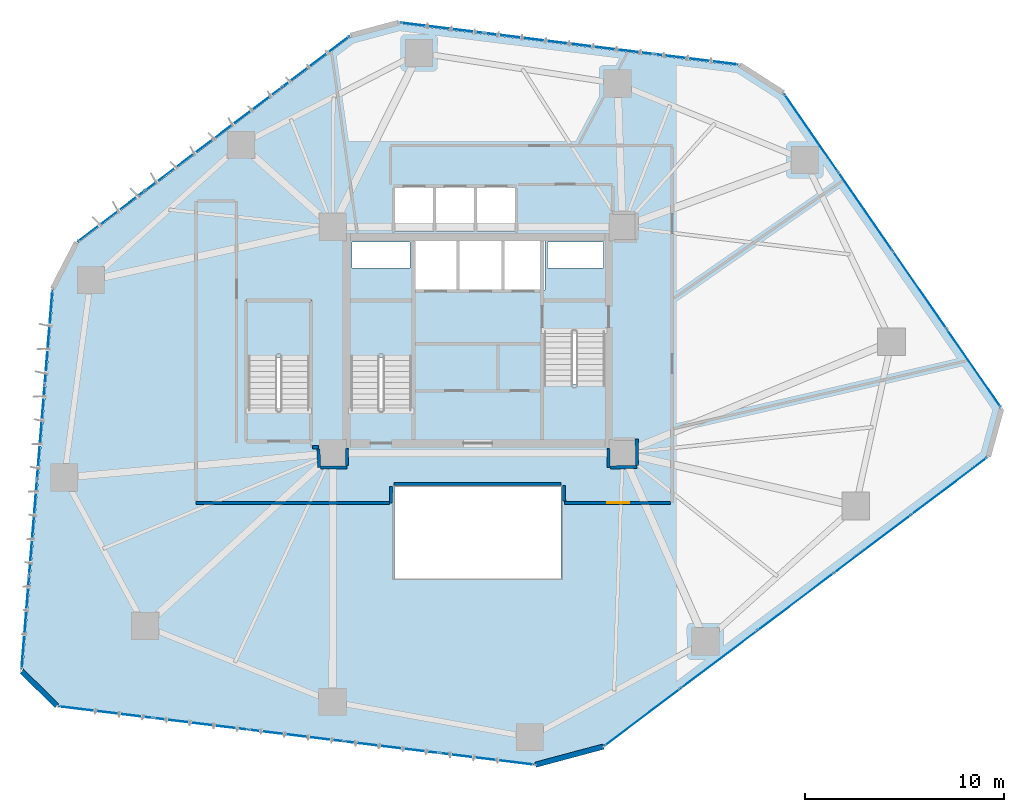
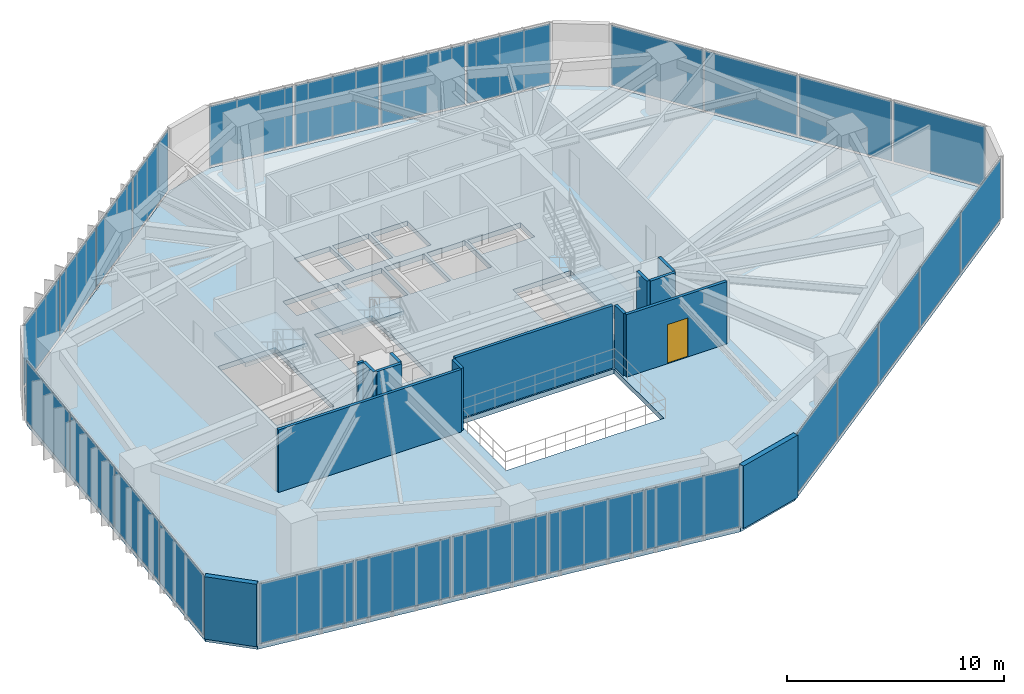
# One storey, part 17 of 23: 26 plates, 14 walls, 4 slabs, 1 door, 1 opening, 9 elements without a shape of their own.
"""IFC4 building model written with IfcOpenShell, lengths in metres."""

from ifc_helpers import new_model, si_unit, direction, frame, frame_2d, origin, origin_2d, place, context, subcontext, project, spatial, polyline, rectangle, outline, extrude, source, transform, mapped, material, layer, layer_set, type_object, type_shapes, element, fill, aggregate, save


model = new_model("IFC4")

# Units and contexts
model_context = context("Model", 3, precision=1e-05, world=origin(), true_north=direction((0.0, 1.0)))
body_context = subcontext(model_context, "Body", "Model", "MODEL_VIEW")
ifc_project = project(units=[si_unit("LENGTHUNIT", "METRE"), si_unit("AREAUNIT", "SQUARE_METRE"), si_unit("VOLUMEUNIT", "CUBIC_METRE"), si_unit("PLANEANGLEUNIT", "RADIAN"), si_unit("MASSUNIT", "GRAM", prefix="KILO")], contexts=[model_context])

# Site, building, storey
site_placement = place(None, origin())
site = spatial("IfcSite", under=ifc_project, at=site_placement, CompositionType="ELEMENT")
building_placement = place(site_placement, origin())
building = spatial("IfcBuilding", under=site, at=building_placement, Name="Talar Marvaseh", CompositionType="ELEMENT")
storey_placement = place(building_placement, frame((0.0, 0.0, 69.60009765625)))
storey = spatial("IfcBuildingStorey", under=building, at=storey_placement, Name="L17", CompositionType="ELEMENT", Elevation=69.60009765625)

# Stair, slab
ifc_material_1 = material(Name="Concrete C40/50", Category="concrete")
stair_type = type_object("IfcStairType", Name="Reinforced Concrete Half-Turn Exit Stair Type B", PredefinedType="HALF_TURN_STAIR", material=ifc_material_1)
stair_1_placement = place(storey_placement, origin())
stair_1 = element("IfcStair", 1, at=stair_1_placement, inside=storey, type_object=stair_type, Name="L17 Tower West Core Exit Stair", PredefinedType="HALF_TURN_STAIR")
ifc_layer_1 = layer(ifc_material_1, 0.199951171875)
ifc_layer_set_1 = layer_set([ifc_layer_1], Name="Concrete C40/50")
slab_type_1 = type_object("IfcSlabType", Name="Reinforced Concrete Stair Half-Landing Slab 200", PredefinedType="LANDING", material=ifc_layer_set_1)
slab_1_placement = place(storey_placement, frame((0.0, 0.0, 1.699951171875)))
slab_1 = element("IfcSlab", 2, at=slab_1_placement, type_object=slab_type_1, Name="ST-1 landing 1", PredefinedType="LANDING", context=body_context, shape_type="SweptSolid", body=[
    extrude(outline(polyline([(22.780029296875, 30.330078125), (22.780029296875, 33.219970703125), (19.47998046875, 33.219970703125), (19.47998046875, 30.330078125), (22.780029296875, 30.330078125)])), origin(), (0.0, 0.0, 1.0), 0.199951171875),
])
aggregate(stair_1, [slab_1])

stair_2_placement = place(storey_placement, origin())
stair_2 = element("IfcStair", 3, at=stair_2_placement, inside=storey, type_object=stair_type, Name="L17 Tower East Core Exit Stair", PredefinedType="HALF_TURN_STAIR")
slab_2_placement = place(storey_placement, frame((0.0, 0.0, 1.699951171875)))
slab_2 = element("IfcSlab", 4, at=slab_2_placement, type_object=slab_type_1, Name="ST-2 landing 1", PredefinedType="LANDING", context=body_context, shape_type="SweptSolid", body=[
    extrude(outline(polyline([(29.219970703125, 28.969970703125), (29.219970703125, 26.080078125), (32.52001953125, 26.080078125), (32.52001953125, 28.969970703125), (29.219970703125, 28.969970703125)])), origin(), (0.0, 0.0, 1.0), 0.199951171875),
])
aggregate(stair_2, [slab_2])

stair_3_placement = place(storey_placement, origin())
stair_3 = element("IfcStair", 5, at=stair_3_placement, inside=storey, type_object=stair_type, Name="L17 Museum & Podium Auxiliary Exit Stair", PredefinedType="HALF_TURN_STAIR")
slab_3_placement = place(storey_placement, frame((0.0, 0.0, 1.699951171875)))
slab_3 = element("IfcSlab", 6, at=slab_3_placement, type_object=slab_type_1, Name="ST-3 landing 1", PredefinedType="LANDING", context=body_context, shape_type="SweptSolid", body=[
    extrude(outline(polyline([(17.6201171875, 30.330078125), (17.6201171875, 33.219970703125), (14.320068359375, 33.219970703125), (14.320068359375, 30.330078125), (17.6201171875, 30.330078125)])), origin(), (0.0, 0.0, 1.0), 0.199951171875),
])
aggregate(stair_3, [slab_3])

# Slab
ifc_layer_2 = layer(ifc_material_1, 0.280029296875)
ifc_layer_set_2 = layer_set([ifc_layer_2], Name="Concrete C40/50")
slab_type_2 = type_object("IfcSlabType", Name="Structural Suspended Floor Slab 280", PredefinedType="FLOOR", material=ifc_layer_set_2)
slab_4_placement = place(storey_placement, frame((0.0, 0.0, -0.280029296875)))
element("IfcSlab", 7, at=slab_4_placement, inside=storey, type_object=slab_type_2, Name="L17 Tower Floor Slab", PredefinedType="FLOOR", context=body_context, shape_type="SweptSolid", body=[
    extrude(outline(polyline([(4.84912109375, 12.811279296875), (3.07958984375, 14.5546875), (4.642578125, 33.757568359375), (5.848876953125, 36.087158203125), (19.611083984375, 46.4833984375), (22.041259765625, 47.134521484375), (39.15771484375, 45.01220703125), (41.3671875, 43.597900390625), (52.322509765625, 27.749267578125), (51.66162109375, 25.3544921875), (32.31103515625, 10.777587890625), (28.8955078125, 9.862548828125), (4.84912109375, 12.811279296875)]), holes=[polyline([(22.659912109375, 27.64990234375), (22.659912109375, 33.10009765625), (19.60009765625, 33.10009765625), (19.60009765625, 27.64990234375), (22.659912109375, 27.64990234375)]), polyline([(29.340087890625, 31.64990234375), (29.340087890625, 26.199951171875), (32.39990234375, 26.199951171875), (32.39990234375, 31.64990234375), (29.340087890625, 31.64990234375)]), polyline([(17.5, 27.64990234375), (17.5, 33.10009765625), (14.43994140625, 33.10009765625), (14.43994140625, 27.64990234375), (17.5, 27.64990234375)]), polyline([(22.800048828125, 33.719970703125), (24.93994140625, 33.719970703125), (24.93994140625, 36.179931640625), (22.800048828125, 36.179931640625), (22.800048828125, 33.719970703125)]), polyline([(25.080078125, 33.719970703125), (27.219970703125, 33.719970703125), (27.219970703125, 36.179931640625), (25.080078125, 36.179931640625), (25.080078125, 33.719970703125)]), polyline([(27.360107421875, 33.719970703125), (29.39990234375, 33.719970703125), (29.39990234375, 36.179931640625), (27.360107421875, 36.179931640625), (27.360107421875, 33.719970703125)]), polyline([(21.840087890625, 36.659912109375), (23.760009765625, 36.659912109375), (23.760009765625, 38.8798828125), (21.840087890625, 38.8798828125), (21.840087890625, 36.659912109375)]), polyline([(23.89990234375, 36.659912109375), (25.820068359375, 36.659912109375), (25.820068359375, 38.8798828125), (23.89990234375, 38.8798828125), (23.89990234375, 36.659912109375)]), polyline([(25.9599609375, 36.659912109375), (27.8798828125, 36.659912109375), (27.8798828125, 38.8798828125), (25.9599609375, 38.8798828125), (25.9599609375, 36.659912109375)]), polyline([(19.659912109375, 34.840087890625), (22.60009765625, 34.840087890625), (22.60009765625, 36.139892578125), (19.659912109375, 36.139892578125), (19.659912109375, 34.840087890625)]), polyline([(29.52001953125, 34.840087890625), (32.340087890625, 34.840087890625), (32.340087890625, 36.139892578125), (29.52001953125, 36.139892578125), (29.52001953125, 34.840087890625)]), polyline([(21.800048828125, 19.199951171875), (30.199951171875, 19.199951171875), (30.199951171875, 23.800048828125), (21.800048828125, 23.800048828125), (21.800048828125, 19.199951171875)])]), origin(), (0.0, 0.0, 1.0), 0.280029296875),
])

# Curtain wall, plates
ifc_material_2 = material(Name="Architectural Aluminium", Category="aluminium")
ifc_layer_3 = layer(ifc_material_2, 0.219970703125)
ifc_layer_set_3 = layer_set([ifc_layer_3], Name="Architectural Aluminium")
curtain_wall_type = type_object("IfcCurtainWallType", Name="Unitised Low-E Museum Curtain Wall Z1", PredefinedType="NOTDEFINED", material=ifc_layer_set_3)
curtain_wall_1_placement = place(storey_placement, origin())
curtain_wall_1 = element("IfcCurtainWall", 8, at=curtain_wall_1_placement, inside=storey, type_object=curtain_wall_type, Name="L17 Unitised Low-E Museum Curtain Wall Z1", PredefinedType="NOTDEFINED")
ifc_material_3 = material(Name="Laminated Low-E Solar Glass", Category="glass")
ifc_layer_4 = layer(ifc_material_3, 0.028076171875)
ifc_layer_set_4 = layer_set([ifc_layer_4], Name="Laminated Low-E Solar Glass")
plate_type = type_object("IfcPlateType", Name="Double-Glazed Low-E Vision Curtain Panel 28", PredefinedType="CURTAIN_PANEL", material=ifc_layer_set_4)
shared_shape_1 = source(origin(), body_context, "Body", "SweptSolid", [
    extrude(rectangle(XDim=4.696533203125, YDim=0.028076171875, at=origin_2d()), origin(), (0.0, 0.0, 1.0), 3.3701171875),
])
plate_1_placement = place(storey_placement, frame((3.216796875, 16.979736328125, 0.074951171875), z_axis=(0.0, 0.0, 1.0), x_axis=(0.081135984349, 0.996703041053, 0.0)))
plate_1 = element("IfcPlate", 9, at=plate_1_placement, type_object=plate_type, Name="CW-Z1 panel 1.1", PredefinedType="CURTAIN_PANEL", context=body_context, shape_type="MappedRepresentation", body=[
    mapped(shared_shape_1, transform((0.0, 0.0, 0.0), x_axis=(1.0, 0.0, 0.0), y_axis=(0.0, 1.0, 0.0), z_axis=(0.0, 0.0, 1.0), scale=1.0)),
])
plate_2_placement = place(storey_placement, frame((4.385986328125, 31.342041015625, 0.074951171875), z_axis=(0.0, 0.0, 1.0), x_axis=(0.081135984349, 0.996703041053, 0.0)))
plate_2 = element("IfcPlate", 10, at=plate_2_placement, type_object=plate_type, Name="CW-Z1 panel 4.1", PredefinedType="CURTAIN_PANEL", context=body_context, shape_type="MappedRepresentation", body=[
    mapped(shared_shape_1, transform((0.0, 0.0, 0.0), x_axis=(1.0, 0.0, 0.0), y_axis=(0.0, 1.0, 0.0), z_axis=(0.0, 0.0, 1.0), scale=1.0)),
])

curtain_wall_2_placement = place(storey_placement, origin())
curtain_wall_2 = element("IfcCurtainWall", 11, at=curtain_wall_2_placement, inside=storey, type_object=curtain_wall_type, Name="L17 Unitised Low-E Museum Curtain Wall Z1", PredefinedType="NOTDEFINED")
plate_3_placement = place(storey_placement, frame((42.79736328125, 41.63427734375, 0.074951171875), z_axis=(0.0, 0.0, 1.0), x_axis=(0.568616590902, -0.822602682071, 0.0)))
plate_3 = element("IfcPlate", 12, at=plate_3_placement, type_object=plate_type, Name="CW-Z1 panel 1.1", PredefinedType="CURTAIN_PANEL", context=body_context, shape_type="MappedRepresentation", body=[
    mapped(shared_shape_1, transform((0.0, 0.0, 0.0), x_axis=(1.0, 0.0, 0.0), y_axis=(0.0, 1.0, 0.0), z_axis=(0.0, 0.0, 1.0), scale=1.0)),
])
plate_4_placement = place(storey_placement, frame((50.990966796875, 29.78076171875, 0.074951171875), z_axis=(0.0, 0.0, 1.0), x_axis=(0.568616590902, -0.822602682071, 0.0)))
plate_4 = element("IfcPlate", 13, at=plate_4_placement, type_object=plate_type, Name="CW-Z1 panel 4.1", PredefinedType="CURTAIN_PANEL", context=body_context, shape_type="MappedRepresentation", body=[
    mapped(shared_shape_1, transform((0.0, 0.0, 0.0), x_axis=(1.0, 0.0, 0.0), y_axis=(0.0, 1.0, 0.0), z_axis=(0.0, 0.0, 1.0), scale=1.0)),
])

# Plate
shared_shape_2 = source(origin(), body_context, "Body", "SweptSolid", [
    extrude(rectangle(XDim=4.736572265625, YDim=0.028076171875, at=origin_2d()), origin(), (0.0, 0.0, 1.0), 3.3701171875),
])
plate_5_placement = place(storey_placement, frame((3.60595703125, 21.760498046875, 0.074951171875), z_axis=(0.0, 0.0, 1.0), x_axis=(0.081135984349, 0.996703041053, 0.0)))
plate_5 = element("IfcPlate", 14, at=plate_5_placement, type_object=plate_type, Name="CW-Z1 panel 2.1", PredefinedType="CURTAIN_PANEL", context=body_context, shape_type="MappedRepresentation", body=[
    mapped(shared_shape_2, transform((0.0, 0.0, 0.0), x_axis=(1.0, 0.0, 0.0), y_axis=(0.0, 1.0, 0.0), z_axis=(0.0, 0.0, 1.0), scale=1.0)),
])

plate_6_placement = place(storey_placement, frame((3.99658203125, 26.561279296875, 0.074951171875), z_axis=(0.0, 0.0, 1.0), x_axis=(0.081135984349, 0.996703041053, 0.0)))
plate_6 = element("IfcPlate", 15, at=plate_6_placement, type_object=plate_type, Name="CW-Z1 panel 3.1", PredefinedType="CURTAIN_PANEL", context=body_context, shape_type="MappedRepresentation", body=[
    mapped(shared_shape_2, transform((0.0, 0.0, 0.0), x_axis=(1.0, 0.0, 0.0), y_axis=(0.0, 1.0, 0.0), z_axis=(0.0, 0.0, 1.0), scale=1.0)),
])

aggregate(curtain_wall_1, [plate_1, plate_5, plate_6, plate_2])

plate_7_placement = place(storey_placement, frame((45.52490234375, 37.688720703125, 0.074951171875), z_axis=(0.0, 0.0, 1.0), x_axis=(0.568616590902, -0.822602682071, 0.0)))
plate_7 = element("IfcPlate", 16, at=plate_7_placement, type_object=plate_type, Name="CW-Z1 panel 2.1", PredefinedType="CURTAIN_PANEL", context=body_context, shape_type="MappedRepresentation", body=[
    mapped(shared_shape_2, transform((0.0, 0.0, 0.0), x_axis=(1.0, 0.0, 0.0), y_axis=(0.0, 1.0, 0.0), z_axis=(0.0, 0.0, 1.0), scale=1.0)),
])

plate_8_placement = place(storey_placement, frame((48.263671875, 33.7265625, 0.074951171875), z_axis=(0.0, 0.0, 1.0), x_axis=(0.568616590902, -0.822602682071, 0.0)))
plate_8 = element("IfcPlate", 17, at=plate_8_placement, type_object=plate_type, Name="CW-Z1 panel 3.1", PredefinedType="CURTAIN_PANEL", context=body_context, shape_type="MappedRepresentation", body=[
    mapped(shared_shape_2, transform((0.0, 0.0, 0.0), x_axis=(1.0, 0.0, 0.0), y_axis=(0.0, 1.0, 0.0), z_axis=(0.0, 0.0, 1.0), scale=1.0)),
])

aggregate(curtain_wall_2, [plate_3, plate_7, plate_8, plate_4])

# Curtain wall, plates
curtain_wall_3_placement = place(storey_placement, origin())
curtain_wall_3 = element("IfcCurtainWall", 18, at=curtain_wall_3_placement, inside=storey, type_object=curtain_wall_type, Name="L17 Unitised Low-E Museum Curtain Wall Z1", PredefinedType="NOTDEFINED")
shared_shape_3 = source(origin(), body_context, "Body", "SweptSolid", [
    extrude(rectangle(XDim=4.19189453125, YDim=0.028076171875, at=origin_2d()), origin(), (0.0, 0.0, 1.0), 3.3701171875),
])
plate_9_placement = place(storey_placement, frame((7.548828125, 37.446533203125, 0.074951171875), z_axis=(0.0, 0.0, 1.0), x_axis=(0.797920491755, 0.602762713543, 0.0)))
plate_9 = element("IfcPlate", 19, at=plate_9_placement, type_object=plate_type, Name="CW-Z1 panel 1.1", PredefinedType="CURTAIN_PANEL", context=body_context, shape_type="MappedRepresentation", body=[
    mapped(shared_shape_3, transform((0.0, 0.0, 0.0), x_axis=(1.0, 0.0, 0.0), y_axis=(0.0, 1.0, 0.0), z_axis=(0.0, 0.0, 1.0), scale=1.0)),
])
plate_10_placement = place(storey_placement, frame((17.838623046875, 45.2197265625, 0.074951171875), z_axis=(0.0, 0.0, 1.0), x_axis=(0.797920491755, 0.602762713543, 0.0)))
plate_10 = element("IfcPlate", 20, at=plate_10_placement, type_object=plate_type, Name="CW-Z1 panel 4.1", PredefinedType="CURTAIN_PANEL", context=body_context, shape_type="MappedRepresentation", body=[
    mapped(shared_shape_3, transform((0.0, 0.0, 0.0), x_axis=(1.0, 0.0, 0.0), y_axis=(0.0, 1.0, 0.0), z_axis=(0.0, 0.0, 1.0), scale=1.0)),
])

curtain_wall_4_placement = place(storey_placement, origin())
curtain_wall_4 = element("IfcCurtainWall", 21, at=curtain_wall_4_placement, inside=storey, type_object=curtain_wall_type, Name="L17 Unitised Low-E Museum Curtain Wall Z1", PredefinedType="NOTDEFINED")
plate_11_placement = place(storey_placement, frame((24.2080078125, 46.92626953125, 0.074951171875), z_axis=(0.0, 0.0, 1.0), x_axis=(0.992400570811, -0.123049205824, 0.0)))
plate_11 = element("IfcPlate", 22, at=plate_11_placement, type_object=plate_type, Name="CW-Z1 panel 1.1", PredefinedType="CURTAIN_PANEL", context=body_context, shape_type="MappedRepresentation", body=[
    mapped(shared_shape_3, transform((0.0, 0.0, 0.0), x_axis=(1.0, 0.0, 0.0), y_axis=(0.0, 1.0, 0.0), z_axis=(0.0, 0.0, 1.0), scale=1.0)),
])
plate_12_placement = place(storey_placement, frame((37.005859375, 45.33935546875, 0.074951171875), z_axis=(0.0, 0.0, 1.0), x_axis=(0.992400570811, -0.123049205824, 0.0)))
plate_12 = element("IfcPlate", 23, at=plate_12_placement, type_object=plate_type, Name="CW-Z1 panel 4.1", PredefinedType="CURTAIN_PANEL", context=body_context, shape_type="MappedRepresentation", body=[
    mapped(shared_shape_3, transform((0.0, 0.0, 0.0), x_axis=(1.0, 0.0, 0.0), y_axis=(0.0, 1.0, 0.0), z_axis=(0.0, 0.0, 1.0), scale=1.0)),
])

# Plate
shared_shape_4 = source(origin(), body_context, "Body", "SweptSolid", [
    extrude(rectangle(XDim=4.23193359375, YDim=0.028076171875, at=origin_2d()), origin(), (0.0, 0.0, 1.0), 3.3701171875),
])
plate_13_placement = place(storey_placement, frame((10.9736328125, 40.03369140625, 0.074951171875), z_axis=(0.0, 0.0, 1.0), x_axis=(0.797920491755, 0.602762713543, 0.0)))
plate_13 = element("IfcPlate", 24, at=plate_13_placement, type_object=plate_type, Name="CW-Z1 panel 2.1", PredefinedType="CURTAIN_PANEL", context=body_context, shape_type="MappedRepresentation", body=[
    mapped(shared_shape_4, transform((0.0, 0.0, 0.0), x_axis=(1.0, 0.0, 0.0), y_axis=(0.0, 1.0, 0.0), z_axis=(0.0, 0.0, 1.0), scale=1.0)),
])

plate_14_placement = place(storey_placement, frame((14.4140625, 42.632568359375, 0.074951171875), z_axis=(0.0, 0.0, 1.0), x_axis=(0.797920491755, 0.602762713543, 0.0)))
plate_14 = element("IfcPlate", 25, at=plate_14_placement, type_object=plate_type, Name="CW-Z1 panel 3.1", PredefinedType="CURTAIN_PANEL", context=body_context, shape_type="MappedRepresentation", body=[
    mapped(shared_shape_4, transform((0.0, 0.0, 0.0), x_axis=(1.0, 0.0, 0.0), y_axis=(0.0, 1.0, 0.0), z_axis=(0.0, 0.0, 1.0), scale=1.0)),
])

aggregate(curtain_wall_3, [plate_9, plate_13, plate_14, plate_10])

plate_15_placement = place(storey_placement, frame((28.46728515625, 46.398193359375, 0.074951171875), z_axis=(0.0, 0.0, 1.0), x_axis=(0.992400570811, -0.123049205824, 0.0)))
plate_15 = element("IfcPlate", 26, at=plate_15_placement, type_object=plate_type, Name="CW-Z1 panel 2.1", PredefinedType="CURTAIN_PANEL", context=body_context, shape_type="MappedRepresentation", body=[
    mapped(shared_shape_4, transform((0.0, 0.0, 0.0), x_axis=(1.0, 0.0, 0.0), y_axis=(0.0, 1.0, 0.0), z_axis=(0.0, 0.0, 1.0), scale=1.0)),
])

plate_16_placement = place(storey_placement, frame((32.74658203125, 45.86767578125, 0.074951171875), z_axis=(0.0, 0.0, 1.0), x_axis=(0.992400570811, -0.123049205824, 0.0)))
plate_16 = element("IfcPlate", 27, at=plate_16_placement, type_object=plate_type, Name="CW-Z1 panel 3.1", PredefinedType="CURTAIN_PANEL", context=body_context, shape_type="MappedRepresentation", body=[
    mapped(shared_shape_4, transform((0.0, 0.0, 0.0), x_axis=(1.0, 0.0, 0.0), y_axis=(0.0, 1.0, 0.0), z_axis=(0.0, 0.0, 1.0), scale=1.0)),
])

aggregate(curtain_wall_4, [plate_11, plate_15, plate_16, plate_12])

# Curtain wall, plates
curtain_wall_5_placement = place(storey_placement, origin())
curtain_wall_5 = element("IfcCurtainWall", 28, at=curtain_wall_5_placement, inside=storey, type_object=curtain_wall_type, Name="L17 Unitised Low-E Museum Curtain Wall Z1", PredefinedType="NOTDEFINED")
shared_shape_5 = source(origin(), body_context, "Body", "SweptSolid", [
    extrude(rectangle(XDim=4.725341796875, YDim=0.028076171875, at=origin_2d()), origin(), (0.0, 0.0, 1.0), 3.3701171875),
])
plate_17_placement = place(storey_placement, frame((49.746826171875, 23.8369140625, 0.074951171875), z_axis=(0.0, 0.0, 1.0), x_axis=(-0.798729199354, -0.601690673103, 0.0)))
plate_17 = element("IfcPlate", 29, at=plate_17_placement, type_object=plate_type, Name="CW-Z1 panel 1.1", PredefinedType="CURTAIN_PANEL", context=body_context, shape_type="MappedRepresentation", body=[
    mapped(shared_shape_5, transform((0.0, 0.0, 0.0), x_axis=(1.0, 0.0, 0.0), y_axis=(0.0, 1.0, 0.0), z_axis=(0.0, 0.0, 1.0), scale=1.0)),
])
plate_18_placement = place(storey_placement, frame((34.29833984375, 12.199462890625, 0.074951171875), z_axis=(0.0, 0.0, 1.0), x_axis=(-0.798729199354, -0.601690673103, 0.0)))
plate_18 = element("IfcPlate", 30, at=plate_18_placement, type_object=plate_type, Name="CW-Z1 panel 5.1", PredefinedType="CURTAIN_PANEL", context=body_context, shape_type="MappedRepresentation", body=[
    mapped(shared_shape_5, transform((0.0, 0.0, 0.0), x_axis=(1.0, 0.0, 0.0), y_axis=(0.0, 1.0, 0.0), z_axis=(0.0, 0.0, 1.0), scale=1.0)),
])

curtain_wall_6_placement = place(storey_placement, origin())
curtain_wall_6 = element("IfcCurtainWall", 31, at=curtain_wall_6_placement, inside=storey, type_object=curtain_wall_type, Name="L17 Unitised Low-E Museum Curtain Wall Z1", PredefinedType="NOTDEFINED")
plate_19_placement = place(storey_placement, frame((26.4638671875, 10.10009765625, 0.074951171875), z_axis=(0.0, 0.0, 1.0), x_axis=(-0.992565367955, 0.121712736954, 0.0)))
plate_19 = element("IfcPlate", 32, at=plate_19_placement, type_object=plate_type, Name="CW-Z1 panel 1.1", PredefinedType="CURTAIN_PANEL", context=body_context, shape_type="MappedRepresentation", body=[
    mapped(shared_shape_5, transform((0.0, 0.0, 0.0), x_axis=(1.0, 0.0, 0.0), y_axis=(0.0, 1.0, 0.0), z_axis=(0.0, 0.0, 1.0), scale=1.0)),
])
plate_20_placement = place(storey_placement, frame((7.26611328125, 12.454345703125, 0.074951171875), z_axis=(0.0, 0.0, 1.0), x_axis=(-0.992565367955, 0.121712736954, 0.0)))
plate_20 = element("IfcPlate", 33, at=plate_20_placement, type_object=plate_type, Name="CW-Z1 panel 5.1", PredefinedType="CURTAIN_PANEL", context=body_context, shape_type="MappedRepresentation", body=[
    mapped(shared_shape_5, transform((0.0, 0.0, 0.0), x_axis=(1.0, 0.0, 0.0), y_axis=(0.0, 1.0, 0.0), z_axis=(0.0, 0.0, 1.0), scale=1.0)),
])

# Plate
shared_shape_6 = source(origin(), body_context, "Body", "SweptSolid", [
    extrude(rectangle(XDim=4.765380859375, YDim=0.028076171875, at=origin_2d()), origin(), (0.0, 0.0, 1.0), 3.3701171875),
])
type_shapes(plate_type, [shared_shape_1, shared_shape_2, shared_shape_3, shared_shape_4, shared_shape_5, shared_shape_6])
plate_21_placement = place(storey_placement, frame((45.892578125, 20.93359375, 0.074951171875), z_axis=(0.0, 0.0, 1.0), x_axis=(-0.798729199354, -0.601690673103, 0.0)))
plate_21 = element("IfcPlate", 34, at=plate_21_placement, type_object=plate_type, Name="CW-Z1 panel 2.1", PredefinedType="CURTAIN_PANEL", context=body_context, shape_type="MappedRepresentation", body=[
    mapped(shared_shape_6, transform((0.0, 0.0, 0.0), x_axis=(1.0, 0.0, 0.0), y_axis=(0.0, 1.0, 0.0), z_axis=(0.0, 0.0, 1.0), scale=1.0)),
])

plate_22_placement = place(storey_placement, frame((42.0224609375, 18.018310546875, 0.074951171875), z_axis=(0.0, 0.0, 1.0), x_axis=(-0.798729199354, -0.601690673103, 0.0)))
plate_22 = element("IfcPlate", 35, at=plate_22_placement, type_object=plate_type, Name="CW-Z1 panel 3.1", PredefinedType="CURTAIN_PANEL", context=body_context, shape_type="MappedRepresentation", body=[
    mapped(shared_shape_6, transform((0.0, 0.0, 0.0), x_axis=(1.0, 0.0, 0.0), y_axis=(0.0, 1.0, 0.0), z_axis=(0.0, 0.0, 1.0), scale=1.0)),
])

plate_23_placement = place(storey_placement, frame((38.15234375, 15.102783203125, 0.074951171875), z_axis=(0.0, 0.0, 1.0), x_axis=(-0.798729199354, -0.601690673103, 0.0)))
plate_23 = element("IfcPlate", 36, at=plate_23_placement, type_object=plate_type, Name="CW-Z1 panel 4.1", PredefinedType="CURTAIN_PANEL", context=body_context, shape_type="MappedRepresentation", body=[
    mapped(shared_shape_6, transform((0.0, 0.0, 0.0), x_axis=(1.0, 0.0, 0.0), y_axis=(0.0, 1.0, 0.0), z_axis=(0.0, 0.0, 1.0), scale=1.0)),
])

aggregate(curtain_wall_5, [plate_17, plate_21, plate_22, plate_23, plate_18])

plate_24_placement = place(storey_placement, frame((21.67431640625, 10.6875, 0.074951171875), z_axis=(0.0, 0.0, 1.0), x_axis=(-0.992565367955, 0.121712736954, 0.0)))
plate_24 = element("IfcPlate", 37, at=plate_24_placement, type_object=plate_type, Name="CW-Z1 panel 2.1", PredefinedType="CURTAIN_PANEL", context=body_context, shape_type="MappedRepresentation", body=[
    mapped(shared_shape_6, transform((0.0, 0.0, 0.0), x_axis=(1.0, 0.0, 0.0), y_axis=(0.0, 1.0, 0.0), z_axis=(0.0, 0.0, 1.0), scale=1.0)),
])

plate_25_placement = place(storey_placement, frame((16.864990234375, 11.27734375, 0.074951171875), z_axis=(0.0, 0.0, 1.0), x_axis=(-0.992565367955, 0.121712736954, 0.0)))
plate_25 = element("IfcPlate", 38, at=plate_25_placement, type_object=plate_type, Name="CW-Z1 panel 3.1", PredefinedType="CURTAIN_PANEL", context=body_context, shape_type="MappedRepresentation", body=[
    mapped(shared_shape_6, transform((0.0, 0.0, 0.0), x_axis=(1.0, 0.0, 0.0), y_axis=(0.0, 1.0, 0.0), z_axis=(0.0, 0.0, 1.0), scale=1.0)),
])

plate_26_placement = place(storey_placement, frame((12.0556640625, 11.866943359375, 0.074951171875), z_axis=(0.0, 0.0, 1.0), x_axis=(-0.992565367955, 0.121712736954, 0.0)))
plate_26 = element("IfcPlate", 39, at=plate_26_placement, type_object=plate_type, Name="CW-Z1 panel 4.1", PredefinedType="CURTAIN_PANEL", context=body_context, shape_type="MappedRepresentation", body=[
    mapped(shared_shape_6, transform((0.0, 0.0, 0.0), x_axis=(1.0, 0.0, 0.0), y_axis=(0.0, 1.0, 0.0), z_axis=(0.0, 0.0, 1.0), scale=1.0)),
])

aggregate(curtain_wall_6, [plate_19, plate_24, plate_25, plate_26, plate_20])

# Walls
ifc_material_4 = material(Name="Precast concrete C45/55", Category="concrete")
ifc_layer_5 = layer(ifc_material_4, 0.27001953125)
ifc_layer_set_5 = layer_set([ifc_layer_5], Name="Precast concrete C45/55")
wall_type_1 = type_object("IfcWallType", Name="Chamfered Hexagonal Corner Pier Wall Z1 270", PredefinedType="SOLIDWALL", material=ifc_layer_set_5)
wall_1_placement = place(storey_placement, frame((4.806884765625, 12.7685546875, 0.0), z_axis=(0.0, 0.0, 1.0), x_axis=(-0.712345298876, 0.701829163807, 0.0)))
element("IfcWall", 40, at=wall_1_placement, inside=storey, type_object=wall_type_1, Name="L17 Chamfered Corner Limestone Pier 1", PredefinedType="SOLIDWALL", context=body_context, shape_type="SweptSolid", body=[
    extrude(rectangle(XDim=2.484130859375, YDim=0.27001953125, at=frame_2d((1.2421875, 0.0))), origin(), (0.0, 0.0, 1.0), 3.52001953125),
])
wall_2_placement = place(storey_placement, frame((32.32666015625, 10.719482421875, 0.0), z_axis=(0.0, 0.0, 1.0), x_axis=(-0.965936341047, -0.258779800303, 0.0)))
element("IfcWall", 41, at=wall_2_placement, inside=storey, type_object=wall_type_1, Name="L17 Chamfered Corner Limestone Pier 6", PredefinedType="SOLIDWALL", context=body_context, shape_type="SweptSolid", body=[
    extrude(rectangle(XDim=3.535888671875, YDim=0.27001953125, at=frame_2d((1.76806640625, 0.0))), origin(), (0.0, 0.0, 1.0), 3.52001953125),
])

# Wall, opening, door
ifc_material_5 = material(Name="Gypsum Board Partition Assembly")
ifc_layer_6 = layer(ifc_material_5, 0.155029296875)
ifc_layer_set_6 = layer_set([ifc_layer_6], Name="Gypsum Board Partition Assembly")
wall_type_2 = type_object("IfcWallType", Name="Corridor Fire-Rated Acoustic Partition 155", PredefinedType="PARTITIONING", material=ifc_layer_set_6)
wall_3_placement = place(storey_placement, frame((35.716552734375, 23.0, 0.0), z_axis=(0.0, 0.0, 1.0), x_axis=(-1.0, 0.0, 0.0)))
wall_3 = element("IfcWall", 42, at=wall_3_placement, inside=storey, type_object=wall_type_2, Name="L17 Interior Partition Wall", PredefinedType="PARTITIONING", context=body_context, shape_type="SweptSolid", body=[
    extrude(rectangle(XDim=5.3564453125, YDim=0.155029296875, at=frame_2d((2.67822265625, 0.0))), origin(), (0.0, 0.0, 1.0), 3.52001953125),
])
opening_placement = place(wall_3_placement, frame((2.08642578125, 0.0, 0.0)))
opening = element("IfcOpeningElement", 43, at=opening_placement, cuts=wall_3, Name="Opening DR-RM110", PredefinedType="OPENING", context=body_context, shape_type="SweptSolid", body=[
    extrude(rectangle(XDim=1.10009765625, YDim=2.199951171875, at=frame_2d((0.550048828125, 1.10009765625))), frame((0.0, 0.08740234375, 0.0), z_axis=(0.0, -1.0, 0.0), x_axis=(1.0, 0.0, 0.0)), (0.0, 0.0, 1.0), 0.175048828125),
])
ifc_material_6 = material(Name="Acoustic Engineered Oak Timber", Category="wood")
door_type = type_object("IfcDoorType", Name="Assembly and Reading Hall Door 1100x2200", OperationType="NOTDEFINED", PredefinedType="DOOR", material=ifc_material_6)
shared_shape_7 = source(origin(), body_context, "Body", "SweptSolid", [
    extrude(rectangle(XDim=1.10009765625, YDim=2.199951171875, at=frame_2d((0.550048828125, 1.10009765625))), frame((0.0, 0.02490234375, 0.0), z_axis=(0.0, -1.0, 0.0), x_axis=(1.0, 0.0, 0.0)), (0.0, 0.0, 1.0), 0.050048828125),
])
type_shapes(door_type, [shared_shape_7])
door_placement = place(opening_placement, origin())
door = element("IfcDoor", 44, at=door_placement, inside=storey, type_object=door_type, Name="L17 Exhibition Gallery Door", OperationType="SINGLE_SWING_RIGHT", OverallHeight=2.199951171875, OverallWidth=1.10009765625, PredefinedType="DOOR", context=body_context, shape_type="MappedRepresentation", body=[
    mapped(shared_shape_7, transform((0.0, 0.0, 0.0), x_axis=(1.0, 0.0, 0.0), y_axis=(0.0, 1.0, 0.0), z_axis=(0.0, 0.0, 1.0), scale=1.0)),
])
fill(opening, door)

# Walls
wall_4_placement = place(storey_placement, frame((30.199951171875, 23.9599609375, 0.0), z_axis=(0.0, 0.0, 1.0), x_axis=(-0.999999996213, -8.7029677e-05, 0.0)))
element("IfcWall", 45, at=wall_4_placement, inside=storey, type_object=wall_type_2, Name="L17 Interior Partition Wall", PredefinedType="PARTITIONING", context=body_context, shape_type="SweptSolid", body=[
    extrude(rectangle(XDim=8.415771484375, YDim=0.155029296875, at=frame_2d((4.2080078125, 0.0))), origin(), (0.0, 0.0, 1.0), 3.52001953125),
])
wall_5_placement = place(storey_placement, frame((21.64306640625, 23.831298828125, 0.0), z_axis=(0.0, 0.0, 1.0), x_axis=(-0.003817887006, -0.999992711843, 0.0)))
element("IfcWall", 46, at=wall_5_placement, inside=storey, type_object=wall_type_2, Name="L17 Interior Partition Wall", PredefinedType="PARTITIONING", context=body_context, shape_type="SweptSolid", body=[
    extrude(rectangle(XDim=0.831298828125, YDim=0.155029296875, at=frame_2d((0.41552734375, 0.0))), origin(), (0.0, 0.0, 1.0), 3.52001953125),
])
wall_6_placement = place(storey_placement, frame((21.556396484375, 23.0, 0.0), z_axis=(0.0, 0.0, 1.0), x_axis=(-1.0, 0.0, 0.0)))
element("IfcWall", 47, at=wall_6_placement, inside=storey, type_object=wall_type_2, Name="L17 Interior Partition Wall", PredefinedType="PARTITIONING", context=body_context, shape_type="SweptSolid", body=[
    extrude(rectangle(XDim=9.75634765625, YDim=0.155029296875, at=frame_2d((4.878173828125, 0.0))), origin(), (0.0, 0.0, 1.0), 3.52001953125),
])
wall_7_placement = place(storey_placement, frame((17.666015625, 25.800048828125, 0.0), z_axis=(0.0, 0.0, 1.0), x_axis=(1.0, 0.0, 0.0)))
element("IfcWall", 48, at=wall_7_placement, inside=storey, type_object=wall_type_2, Name="L17 Interior Partition Wall", PredefinedType="PARTITIONING", context=body_context, shape_type="SweptSolid", body=[
    extrude(rectangle(XDim=0.319091796875, YDim=0.155029296875, at=frame_2d((0.15966796875, 0.0))), origin(), (0.0, 0.0, 1.0), 3.52001953125),
])
wall_8_placement = place(storey_placement, frame((17.986083984375, 25.716552734375, 0.0), z_axis=(0.0, 0.0, 1.0), x_axis=(0.013367088724, -0.999910656478, 0.0)))
element("IfcWall", 49, at=wall_8_placement, inside=storey, type_object=wall_type_2, Name="L17 Interior Partition Wall", PredefinedType="PARTITIONING", context=body_context, shape_type="SweptSolid", body=[
    extrude(rectangle(XDim=0.931396484375, YDim=0.155029296875, at=frame_2d((0.4658203125, 0.0))), origin(), (0.0, 0.0, 1.0), 3.52001953125),
])
wall_9_placement = place(storey_placement, frame((18.08203125, 24.78515625, 0.0), z_axis=(0.0, 0.0, 1.0), x_axis=(0.99999830547, 0.001840939443, 0.0)))
element("IfcWall", 50, at=wall_9_placement, inside=storey, type_object=wall_type_2, Name="L17 Interior Partition Wall", PredefinedType="PARTITIONING", context=body_context, shape_type="SweptSolid", body=[
    extrude(rectangle(XDim=1.326171875, YDim=0.155029296875, at=frame_2d((0.6630859375, 0.0))), origin(), (0.0, 0.0, 1.0), 3.52001953125),
])
wall_10_placement = place(storey_placement, frame((19.408935546875, 24.87109375, 0.0), z_axis=(0.0, 0.0, 1.0), x_axis=(0.007106130977, 0.999974751133, 0.0)))
element("IfcWall", 51, at=wall_10_placement, inside=storey, type_object=wall_type_2, Name="L17 Interior Partition Wall", PredefinedType="PARTITIONING", context=body_context, shape_type="SweptSolid", body=[
    extrude(rectangle(XDim=0.85888671875, YDim=0.155029296875, at=frame_2d((0.429443359375, 0.0))), origin(), (0.0, 0.0, 1.0), 3.52001953125),
])
wall_11_placement = place(storey_placement, frame((32.5849609375, 25.72998046875, 0.0), z_axis=(0.0, 0.0, 1.0), x_axis=(0.007253695172, -0.999973691607, 0.0)))
element("IfcWall", 52, at=wall_11_placement, inside=storey, type_object=wall_type_2, Name="L17 Interior Partition Wall", PredefinedType="PARTITIONING", context=body_context, shape_type="SweptSolid", body=[
    extrude(rectangle(XDim=0.9423828125, YDim=0.155029296875, at=frame_2d((0.47119140625, 0.0))), origin(), (0.0, 0.0, 1.0), 3.52001953125),
])
wall_12_placement = place(storey_placement, frame((32.67529296875, 24.788330078125, 0.0), z_axis=(0.0, 0.0, 1.0), x_axis=(0.999961738884, 0.008747614993, 0.0)))
element("IfcWall", 53, at=wall_12_placement, inside=storey, type_object=wall_type_2, Name="L17 Interior Partition Wall", PredefinedType="PARTITIONING", context=body_context, shape_type="SweptSolid", body=[
    extrude(rectangle(XDim=1.339599609375, YDim=0.155029296875, at=frame_2d((0.669921875, 0.0))), origin(), (0.0, 0.0, 1.0), 3.52001953125),
])
wall_13_placement = place(storey_placement, frame((34.014892578125, 24.883544921875, 0.0), z_axis=(0.0, 0.0, 1.0), x_axis=(-0.002393659134, 0.999997135194, 0.0)))
element("IfcWall", 54, at=wall_13_placement, inside=storey, type_object=wall_type_2, Name="L17 Interior Partition Wall", PredefinedType="PARTITIONING", context=body_context, shape_type="SweptSolid", body=[
    extrude(rectangle(XDim=1.325927734375, YDim=0.155029296875, at=frame_2d((0.6630859375, 0.0))), origin(), (0.0, 0.0, 1.0), 3.52001953125),
])
wall_14_placement = place(storey_placement, frame((30.358154296875, 23.08349609375, 0.0), z_axis=(0.0, 0.0, 1.0), x_axis=(-0.021573276475, 0.999767269789, 0.0)))
element("IfcWall", 55, at=wall_14_placement, inside=storey, type_object=wall_type_2, Name="L17 Interior Partition Wall", PredefinedType="PARTITIONING", context=body_context, shape_type="SweptSolid", body=[
    extrude(rectangle(XDim=0.792236328125, YDim=0.155029296875, at=frame_2d((0.39599609375, 0.0))), origin(), (0.0, 0.0, 1.0), 3.52001953125),
])

save(model, "model.ifc")
